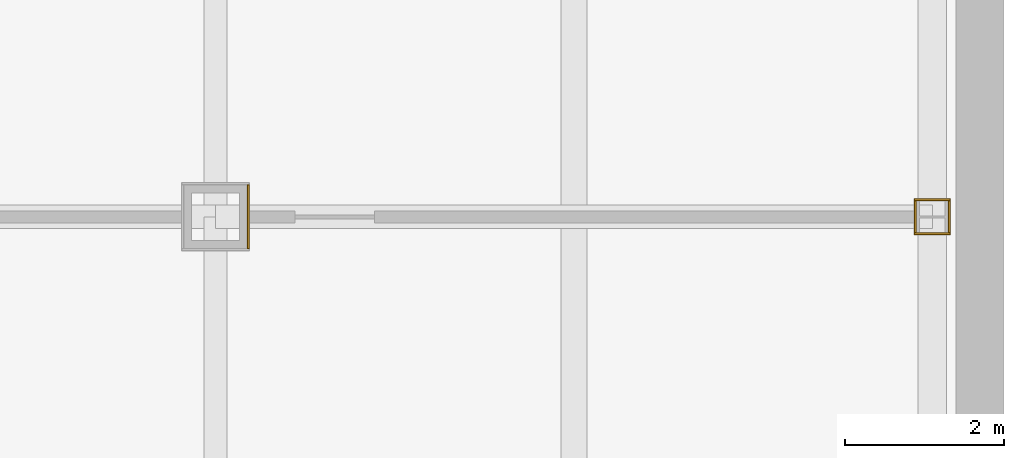
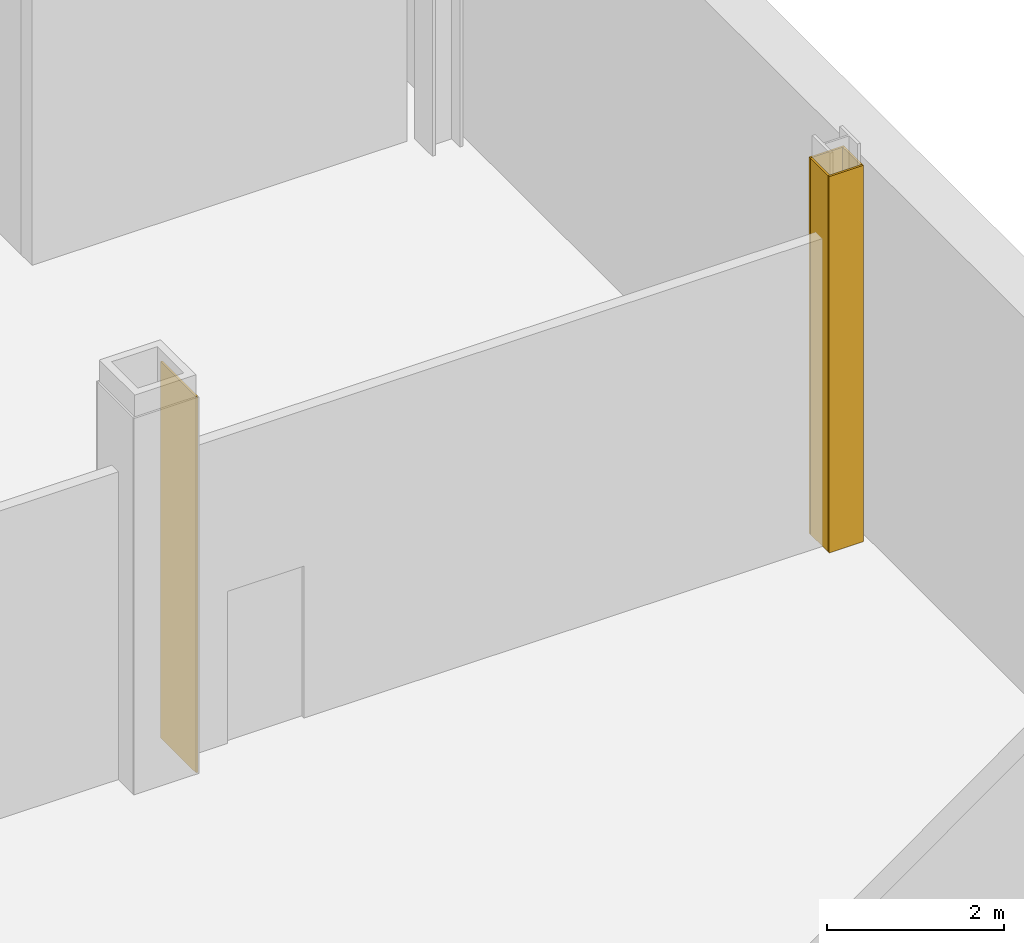
# One storey, part 23 of 27: 5 coverings.
"""IFC4 building model written with IfcOpenShell, lengths in metres."""

from ifc_helpers import new_model, si_unit, direction, frame, origin, origin_2d, place, context, subcontext, project, spatial, rectangle, extrude, material, layer, layer_set, type_object, element, save


model = new_model("IFC4")

# Units and contexts
model_context = context("Model", 3, precision=1e-05, world=origin(), true_north=direction((0.0, 1.0)))
body_context = subcontext(model_context, "Body", "Model", "MODEL_VIEW")
ifc_project = project(units=[si_unit("LENGTHUNIT", "METRE"), si_unit("AREAUNIT", "SQUARE_METRE"), si_unit("VOLUMEUNIT", "CUBIC_METRE"), si_unit("PLANEANGLEUNIT", "RADIAN"), si_unit("MASSUNIT", "GRAM", prefix="KILO")], contexts=[model_context])

# Site, building, storey
site_placement = place(None, origin())
site = spatial("IfcSite", under=ifc_project, at=site_placement, CompositionType="ELEMENT")
building_placement = place(site_placement, origin())
building = spatial("IfcBuilding", under=site, at=building_placement, Name="Loomwork Tower", CompositionType="ELEMENT")
storey_placement = place(building_placement, frame((0.0, 0.0, -5.5)))
storey = spatial("IfcBuildingStorey", under=building, at=storey_placement, Name="B1", CompositionType="ELEMENT", Elevation=-5.5)

# Coverings
ifc_material = material(Name="Two-hour fire-rated gypsum board casing")
ifc_layer = layer(ifc_material, 0.02490234375)
ifc_layer_set = layer_set([ifc_layer], Name="Column fire casing 25")
covering_type = type_object("IfcCoveringType", Name="Column fire casing 25", PredefinedType="CLADDING", material=ifc_layer_set)
covering_placement = place(storey_placement, frame((54.41259765625, 27.0, 0.0), z_axis=(0.0, 0.0, 1.0), x_axis=(1.0, 0.0, 0.0)))
element("IfcCovering", 1, at=covering_placement, inside=storey, type_object=covering_type, Name="Column casing 54 27 B1", PredefinedType="CLADDING", context=body_context, shape_type="SweptSolid", body=[
    extrude(rectangle(XDim=0.02490234375, YDim=0.800048828125, at=origin_2d()), origin(), (0.0, 0.0, 1.0), 5.199951171875),
])
for number, where, z_axis, x_axis, name in (
    (2, (63.0, 27.213134765625, 0.0), (0.0, 0.0, 1.0), (1.0, 0.0, 0.0), "Column casing 63 27 B1"),
    (3, (63.0, 26.786865234375, 0.0), (0.0, 0.0, 1.0), (1.0, 0.0, 0.0), "Column casing 63 27 B1"),
):
    element("IfcCovering", number, at=place(storey_placement, frame(where, z_axis=z_axis, x_axis=x_axis)), inside=storey, type_object=covering_type, Name=name, PredefinedType="CLADDING", context=body_context, shape_type="SweptSolid", body=[
        extrude(rectangle(XDim=0.44873046875, YDim=0.02490234375, at=origin_2d()), origin(), (0.0, 0.0, 1.0), 5.199951171875),
    ])
for number, where, z_axis, x_axis, name in (
    (4, (63.2119140625, 27.0, 0.0), (0.0, 0.0, 1.0), (1.0, 0.0, 0.0), "Column casing 63 27 B1"),
    (5, (62.7880859375, 27.0, 0.0), (0.0, 0.0, 1.0), (1.0, 0.0, 0.0), "Column casing 63 27 B1"),
):
    element("IfcCovering", number, at=place(storey_placement, frame(where, z_axis=z_axis, x_axis=x_axis)), inside=storey, type_object=covering_type, Name=name, PredefinedType="CLADDING", context=body_context, shape_type="SweptSolid", body=[
        extrude(rectangle(XDim=0.02490234375, YDim=0.4013671875, at=origin_2d()), origin(), (0.0, 0.0, 1.0), 5.199951171875),
    ])

save(model, "model.ifc")
